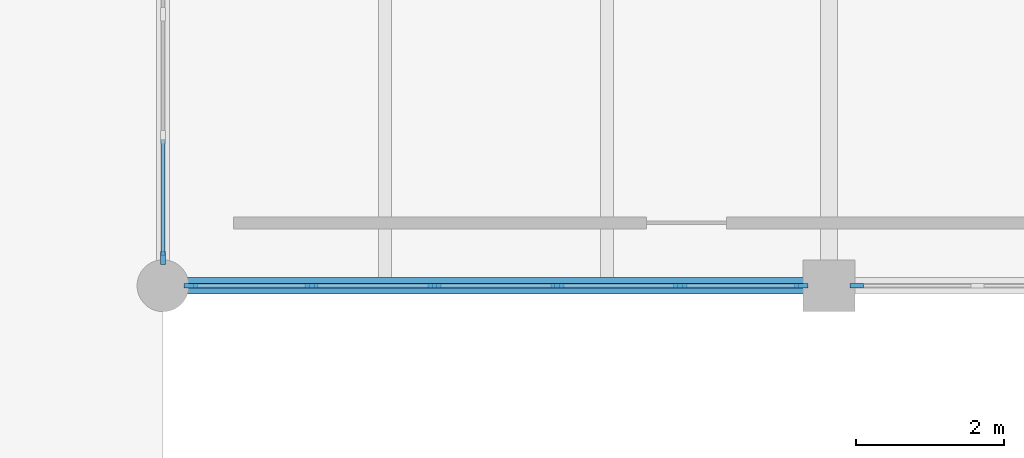
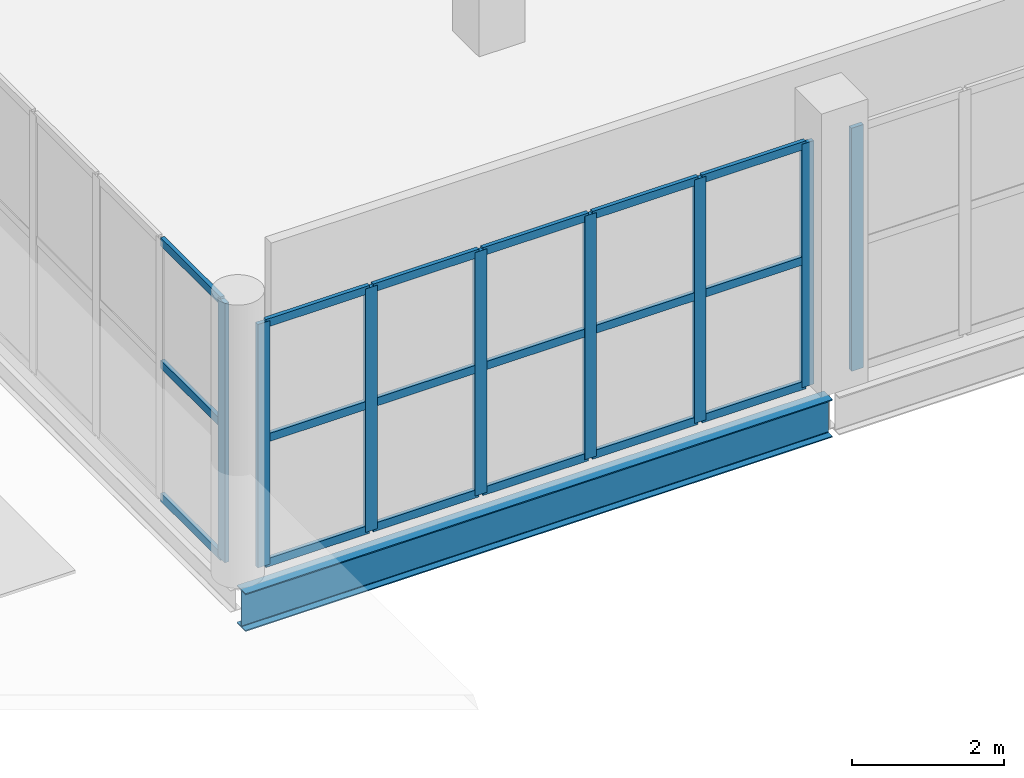
# One storey, part 41 of 93: 26 members, 1 beam, 3 elements without a shape of their own.
"""IFC4 building model written with IfcOpenShell, lengths in metres."""

from ifc_helpers import new_model, si_unit, direction, frame, origin, origin_2d, place, context, subcontext, project, spatial, rectangle, i_section, extrude, material, layer, layer_set, material_profile, profile_set, type_object, element, aggregate, save


model = new_model("IFC4")

# Units and contexts
model_context = context("Model", 3, precision=1e-05, world=origin(), true_north=direction((0.0, 1.0)))
body_context = subcontext(model_context, "Body", "Model", "MODEL_VIEW")
ifc_project = project(units=[si_unit("LENGTHUNIT", "METRE"), si_unit("AREAUNIT", "SQUARE_METRE"), si_unit("VOLUMEUNIT", "CUBIC_METRE"), si_unit("PLANEANGLEUNIT", "RADIAN"), si_unit("MASSUNIT", "GRAM", prefix="KILO")], contexts=[model_context])

# Site, building, storey
site_placement = place(None, origin())
site = spatial("IfcSite", under=ifc_project, at=site_placement, CompositionType="ELEMENT")
building_placement = place(site_placement, origin())
building = spatial("IfcBuilding", under=site, at=building_placement, Name="Marnock Terrace Opera House", CompositionType="ELEMENT")
storey_placement = place(building_placement, frame((0.0, 0.0, 5.39990234375)))
storey = spatial("IfcBuildingStorey", under=building, at=storey_placement, Name="L01", CompositionType="ELEMENT", Elevation=5.39990234375)

# Beam
ifc_material_1 = material(Name="Steel Grade 350 (AS/NZS 3679.1)", Category="steel")
ifc_material_profile_1 = material_profile(ifc_material_1, i_section(OverallWidth=0.22802734375, OverallDepth=0.60693359375, WebThickness=0.01123046875, FlangeThickness=0.017333984375, FilletRadius=0.013916015625, at=origin_2d()))
ifc_profile_set_1 = profile_set([ifc_material_profile_1], Name="Steel Grade 350 (AS/NZS 3679.1)")
beam_type = type_object("IfcBeamType", Name="BM-GIRD-610B", PredefinedType="BEAM", material=ifc_profile_set_1)
beam_placement = place(storey_placement, frame((118.050048828125, 66.0, -0.58349609375), z_axis=(1.0, 0.0, 0.0), x_axis=(0.0, 1.0, 0.0)))
element("IfcBeam", 1, at=beam_placement, inside=storey, type_object=beam_type, Name="L01 girder (118.0..127.0, Y=66.0)", PredefinedType="BEAM", context=body_context, shape_type="SweptSolid", body=[
    extrude(i_section(OverallWidth=0.22802734375, OverallDepth=0.60693359375, WebThickness=0.01123046875, FlangeThickness=0.017333984375, FilletRadius=0.013916015625, at=origin_2d()), origin(), (0.0, 0.0, 1.0), 8.89990234375),
])

# Curtain wall, members
ifc_material_2 = material(Name="Anodised architectural bronze aluminium framing", Category="aluminium")
ifc_layer = layer(ifc_material_2, 0.159912109375)
ifc_layer_set = layer_set([ifc_layer], Name="Anodised architectural bronze aluminium framing")
curtain_wall_type = type_object("IfcCurtainWallType", Name="CW-LOGGIA-86x45", PredefinedType="NOTDEFINED", material=ifc_layer_set)
curtain_wall_1_placement = place(storey_placement, origin())
curtain_wall_1 = element("IfcCurtainWall", 2, at=curtain_wall_1_placement, inside=storey, type_object=curtain_wall_type, Name="L01 glazed Beaux-Arts colonnade curtain wall CW-V5-L01-CN1", PredefinedType="NOTDEFINED")
ifc_material_profile_2 = material_profile(ifc_material_2, rectangle(XDim=0.06494140625, YDim=0.179931640625, at=origin_2d()))
ifc_profile_set_2 = profile_set([ifc_material_profile_2], Name="Anodised architectural bronze aluminium framing")
member_type_1 = type_object("IfcMemberType", Name="CWM-65x180", PredefinedType="MULLION", material=ifc_profile_set_2)
member_1_placement = place(storey_placement, frame((118.3759765625, 66.0, 0.0), z_axis=(0.0, 0.0, 1.0), x_axis=(0.0, 1.0, 0.0)))
member_1 = element("IfcMember", 3, at=member_1_placement, type_object=member_type_1, Name="CW-61 mullion 1", PredefinedType="MULLION", context=body_context, shape_type="SweptSolid", body=[
    extrude(rectangle(XDim=0.06494140625, YDim=0.179931640625, at=origin_2d()), origin(), (0.0, 0.0, 1.0), 3.903076171875),
])
member_2_placement = place(storey_placement, frame((120.007568359375, 66.0, 0.0), z_axis=(0.0, 0.0, 1.0), x_axis=(0.0, 1.0, 0.0)))
member_2 = element("IfcMember", 4, at=member_2_placement, type_object=member_type_1, Name="CW-61 mullion 2", PredefinedType="MULLION", context=body_context, shape_type="SweptSolid", body=[
    extrude(rectangle(XDim=0.06494140625, YDim=0.179931640625, at=origin_2d()), origin(), (0.0, 0.0, 1.0), 3.903076171875),
])
member_3_placement = place(storey_placement, frame((121.669189453125, 66.0, 0.0), z_axis=(0.0, 0.0, 1.0), x_axis=(0.0, 1.0, 0.0)))
member_3 = element("IfcMember", 5, at=member_3_placement, type_object=member_type_1, Name="CW-61 mullion 3", PredefinedType="MULLION", context=body_context, shape_type="SweptSolid", body=[
    extrude(rectangle(XDim=0.06494140625, YDim=0.179931640625, at=origin_2d()), origin(), (0.0, 0.0, 1.0), 3.903076171875),
])
member_4_placement = place(storey_placement, frame((123.330810546875, 66.0, 0.0), z_axis=(0.0, 0.0, 1.0), x_axis=(0.0, 1.0, 0.0)))
member_4 = element("IfcMember", 6, at=member_4_placement, type_object=member_type_1, Name="CW-61 mullion 4", PredefinedType="MULLION", context=body_context, shape_type="SweptSolid", body=[
    extrude(rectangle(XDim=0.06494140625, YDim=0.179931640625, at=origin_2d()), origin(), (0.0, 0.0, 1.0), 3.903076171875),
])
member_5_placement = place(storey_placement, frame((124.992431640625, 66.0, 0.0), z_axis=(0.0, 0.0, 1.0), x_axis=(0.0, 1.0, 0.0)))
member_5 = element("IfcMember", 7, at=member_5_placement, type_object=member_type_1, Name="CW-61 mullion 5", PredefinedType="MULLION", context=body_context, shape_type="SweptSolid", body=[
    extrude(rectangle(XDim=0.06494140625, YDim=0.179931640625, at=origin_2d()), origin(), (0.0, 0.0, 1.0), 3.903076171875),
])
member_6_placement = place(storey_placement, frame((126.6240234375, 66.0, 0.0), z_axis=(0.0, 0.0, 1.0), x_axis=(0.0, 1.0, 0.0)))
member_6 = element("IfcMember", 8, at=member_6_placement, type_object=member_type_1, Name="CW-61 mullion 6", PredefinedType="MULLION", context=body_context, shape_type="SweptSolid", body=[
    extrude(rectangle(XDim=0.06494140625, YDim=0.179931640625, at=origin_2d()), origin(), (0.0, 0.0, 1.0), 3.903076171875),
])

# Curtain wall, member
curtain_wall_2_placement = place(storey_placement, origin())
curtain_wall_2 = element("IfcCurtainWall", 9, at=curtain_wall_2_placement, inside=storey, type_object=curtain_wall_type, Name="L01 glazed Beaux-Arts colonnade curtain wall CW-V5-L01-CN2", PredefinedType="NOTDEFINED")
member_7_placement = place(storey_placement, frame((127.3759765625, 66.0, 0.0), z_axis=(0.0, 0.0, 1.0), x_axis=(0.0, 1.0, 0.0)))
member_7 = element("IfcMember", 10, at=member_7_placement, type_object=member_type_1, Name="CW-61 mullion 1", PredefinedType="MULLION", context=body_context, shape_type="SweptSolid", body=[
    extrude(rectangle(XDim=0.06494140625, YDim=0.179931640625, at=origin_2d()), origin(), (0.0, 0.0, 1.0), 3.8984375),
])
aggregate(curtain_wall_2, [member_7])

curtain_wall_3_placement = place(storey_placement, origin())
curtain_wall_3 = element("IfcCurtainWall", 11, at=curtain_wall_3_placement, inside=storey, type_object=curtain_wall_type, Name="L01 glazed Beaux-Arts colonnade curtain wall CW-V5-L01-W5", PredefinedType="NOTDEFINED")
member_8_placement = place(storey_placement, frame((118.0, 66.3759765625, 0.0), z_axis=(0.0, 0.0, 1.0), x_axis=(-1.0, 0.0, 0.0)))
member_8 = element("IfcMember", 12, at=member_8_placement, type_object=member_type_1, Name="CW-61 mullion 1", PredefinedType="MULLION", context=body_context, shape_type="SweptSolid", body=[
    extrude(rectangle(XDim=0.06494140625, YDim=0.179931640625, at=origin_2d()), origin(), (0.0, 0.0, 1.0), 4.154541015625),
])

# Member
ifc_material_profile_3 = material_profile(ifc_material_2, rectangle(XDim=0.06005859375, YDim=0.1298828125, at=origin_2d()))
ifc_profile_set_3 = profile_set([ifc_material_profile_3], Name="Anodised architectural bronze aluminium framing")
member_type_2 = type_object("IfcMemberType", Name="CWT-60x130", PredefinedType="USERDEFINED", material=ifc_profile_set_3)
member_9_placement = place(storey_placement, frame((118.406005859375, 66.0, 0.030029296875), z_axis=(1.0, 0.0, 0.0), x_axis=(0.0, 1.0, 0.0)))
member_9 = element("IfcMember", 13, at=member_9_placement, type_object=member_type_2, Name="CW-61 transom 1.1", ObjectType="TRANSOM", PredefinedType="USERDEFINED", context=body_context, shape_type="SweptSolid", body=[
    extrude(rectangle(XDim=0.06005859375, YDim=0.1298828125, at=origin_2d()), origin(), (0.0, 0.0, 1.0), 1.571533203125),
])

member_10_placement = place(storey_placement, frame((118.406005859375, 66.0, 2.02978515625), z_axis=(1.0, 0.0, 0.0), x_axis=(0.0, 1.0, 0.0)))
member_10 = element("IfcMember", 14, at=member_10_placement, type_object=member_type_2, Name="CW-61 transom 1.2", ObjectType="TRANSOM", PredefinedType="USERDEFINED", context=body_context, shape_type="SweptSolid", body=[
    extrude(rectangle(XDim=0.06005859375, YDim=0.1298828125, at=origin_2d()), origin(), (0.0, 0.0, 1.0), 1.571533203125),
])

member_11_placement = place(storey_placement, frame((118.406005859375, 66.0, 3.873046875), z_axis=(1.0, 0.0, 0.0), x_axis=(0.0, 1.0, 0.0)))
member_11 = element("IfcMember", 15, at=member_11_placement, type_object=member_type_2, Name="CW-61 transom 1.3", ObjectType="TRANSOM", PredefinedType="USERDEFINED", context=body_context, shape_type="SweptSolid", body=[
    extrude(rectangle(XDim=0.06005859375, YDim=0.1298828125, at=origin_2d()), origin(), (0.0, 0.0, 1.0), 1.571533203125),
])

member_12_placement = place(storey_placement, frame((120.03759765625, 66.0, 0.030029296875), z_axis=(1.0, 0.0, 0.0), x_axis=(0.0, 1.0, 0.0)))
member_12 = element("IfcMember", 16, at=member_12_placement, type_object=member_type_2, Name="CW-61 transom 2.1", ObjectType="TRANSOM", PredefinedType="USERDEFINED", context=body_context, shape_type="SweptSolid", body=[
    extrude(rectangle(XDim=0.06005859375, YDim=0.1298828125, at=origin_2d()), origin(), (0.0, 0.0, 1.0), 1.6015625),
])

member_13_placement = place(storey_placement, frame((120.03759765625, 66.0, 2.02978515625), z_axis=(1.0, 0.0, 0.0), x_axis=(0.0, 1.0, 0.0)))
member_13 = element("IfcMember", 17, at=member_13_placement, type_object=member_type_2, Name="CW-61 transom 2.2", ObjectType="TRANSOM", PredefinedType="USERDEFINED", context=body_context, shape_type="SweptSolid", body=[
    extrude(rectangle(XDim=0.06005859375, YDim=0.1298828125, at=origin_2d()), origin(), (0.0, 0.0, 1.0), 1.6015625),
])

member_14_placement = place(storey_placement, frame((120.03759765625, 66.0, 3.873046875), z_axis=(1.0, 0.0, 0.0), x_axis=(0.0, 1.0, 0.0)))
member_14 = element("IfcMember", 18, at=member_14_placement, type_object=member_type_2, Name="CW-61 transom 2.3", ObjectType="TRANSOM", PredefinedType="USERDEFINED", context=body_context, shape_type="SweptSolid", body=[
    extrude(rectangle(XDim=0.06005859375, YDim=0.1298828125, at=origin_2d()), origin(), (0.0, 0.0, 1.0), 1.6015625),
])

member_15_placement = place(storey_placement, frame((121.69921875, 66.0, 0.030029296875), z_axis=(1.0, 0.0, 0.0), x_axis=(0.0, 1.0, 0.0)))
member_15 = element("IfcMember", 19, at=member_15_placement, type_object=member_type_2, Name="CW-61 transom 3.1", ObjectType="TRANSOM", PredefinedType="USERDEFINED", context=body_context, shape_type="SweptSolid", body=[
    extrude(rectangle(XDim=0.06005859375, YDim=0.1298828125, at=origin_2d()), origin(), (0.0, 0.0, 1.0), 1.6015625),
])

member_16_placement = place(storey_placement, frame((121.69921875, 66.0, 2.02978515625), z_axis=(1.0, 0.0, 0.0), x_axis=(0.0, 1.0, 0.0)))
member_16 = element("IfcMember", 20, at=member_16_placement, type_object=member_type_2, Name="CW-61 transom 3.2", ObjectType="TRANSOM", PredefinedType="USERDEFINED", context=body_context, shape_type="SweptSolid", body=[
    extrude(rectangle(XDim=0.06005859375, YDim=0.1298828125, at=origin_2d()), origin(), (0.0, 0.0, 1.0), 1.6015625),
])

member_17_placement = place(storey_placement, frame((121.69921875, 66.0, 3.873046875), z_axis=(1.0, 0.0, 0.0), x_axis=(0.0, 1.0, 0.0)))
member_17 = element("IfcMember", 21, at=member_17_placement, type_object=member_type_2, Name="CW-61 transom 3.3", ObjectType="TRANSOM", PredefinedType="USERDEFINED", context=body_context, shape_type="SweptSolid", body=[
    extrude(rectangle(XDim=0.06005859375, YDim=0.1298828125, at=origin_2d()), origin(), (0.0, 0.0, 1.0), 1.6015625),
])

member_18_placement = place(storey_placement, frame((123.36083984375, 66.0, 0.030029296875), z_axis=(1.0, 0.0, 0.0), x_axis=(0.0, 1.0, 0.0)))
member_18 = element("IfcMember", 22, at=member_18_placement, type_object=member_type_2, Name="CW-61 transom 4.1", ObjectType="TRANSOM", PredefinedType="USERDEFINED", context=body_context, shape_type="SweptSolid", body=[
    extrude(rectangle(XDim=0.06005859375, YDim=0.1298828125, at=origin_2d()), origin(), (0.0, 0.0, 1.0), 1.6015625),
])

member_19_placement = place(storey_placement, frame((123.36083984375, 66.0, 2.02978515625), z_axis=(1.0, 0.0, 0.0), x_axis=(0.0, 1.0, 0.0)))
member_19 = element("IfcMember", 23, at=member_19_placement, type_object=member_type_2, Name="CW-61 transom 4.2", ObjectType="TRANSOM", PredefinedType="USERDEFINED", context=body_context, shape_type="SweptSolid", body=[
    extrude(rectangle(XDim=0.06005859375, YDim=0.1298828125, at=origin_2d()), origin(), (0.0, 0.0, 1.0), 1.6015625),
])

member_20_placement = place(storey_placement, frame((123.36083984375, 66.0, 3.873046875), z_axis=(1.0, 0.0, 0.0), x_axis=(0.0, 1.0, 0.0)))
member_20 = element("IfcMember", 24, at=member_20_placement, type_object=member_type_2, Name="CW-61 transom 4.3", ObjectType="TRANSOM", PredefinedType="USERDEFINED", context=body_context, shape_type="SweptSolid", body=[
    extrude(rectangle(XDim=0.06005859375, YDim=0.1298828125, at=origin_2d()), origin(), (0.0, 0.0, 1.0), 1.6015625),
])

member_21_placement = place(storey_placement, frame((125.0224609375, 66.0, 0.030029296875), z_axis=(1.0, 0.0, 0.0), x_axis=(0.0, 1.0, 0.0)))
member_21 = element("IfcMember", 25, at=member_21_placement, type_object=member_type_2, Name="CW-61 transom 5.1", ObjectType="TRANSOM", PredefinedType="USERDEFINED", context=body_context, shape_type="SweptSolid", body=[
    extrude(rectangle(XDim=0.06005859375, YDim=0.1298828125, at=origin_2d()), origin(), (0.0, 0.0, 1.0), 1.571533203125),
])

member_22_placement = place(storey_placement, frame((125.0224609375, 66.0, 2.02978515625), z_axis=(1.0, 0.0, 0.0), x_axis=(0.0, 1.0, 0.0)))
member_22 = element("IfcMember", 26, at=member_22_placement, type_object=member_type_2, Name="CW-61 transom 5.2", ObjectType="TRANSOM", PredefinedType="USERDEFINED", context=body_context, shape_type="SweptSolid", body=[
    extrude(rectangle(XDim=0.06005859375, YDim=0.1298828125, at=origin_2d()), origin(), (0.0, 0.0, 1.0), 1.571533203125),
])

member_23_placement = place(storey_placement, frame((125.0224609375, 66.0, 3.873046875), z_axis=(1.0, 0.0, 0.0), x_axis=(0.0, 1.0, 0.0)))
member_23 = element("IfcMember", 27, at=member_23_placement, type_object=member_type_2, Name="CW-61 transom 5.3", ObjectType="TRANSOM", PredefinedType="USERDEFINED", context=body_context, shape_type="SweptSolid", body=[
    extrude(rectangle(XDim=0.06005859375, YDim=0.1298828125, at=origin_2d()), origin(), (0.0, 0.0, 1.0), 1.571533203125),
])

aggregate(curtain_wall_1, [member_1, member_2, member_3, member_4, member_5, member_6, member_9, member_10, member_11, member_12, member_13, member_14, member_15, member_16, member_17, member_18, member_19, member_20, member_21, member_22, member_23])

member_24_placement = place(storey_placement, frame((118.0, 66.406005859375, 0.030029296875), z_axis=(0.0, 1.0, 0.0), x_axis=(-1.0, 0.0, 0.0)))
member_24 = element("IfcMember", 28, at=member_24_placement, type_object=member_type_2, Name="CW-61 transom 1.1", ObjectType="TRANSOM", PredefinedType="USERDEFINED", context=body_context, shape_type="SweptSolid", body=[
    extrude(rectangle(XDim=0.06005859375, YDim=0.1298828125, at=origin_2d()), origin(), (0.0, 0.0, 1.0), 1.571533203125),
])

member_25_placement = place(storey_placement, frame((118.0, 66.406005859375, 2.160400390625), z_axis=(0.0, 1.0, 0.0), x_axis=(-1.0, 0.0, 0.0)))
member_25 = element("IfcMember", 29, at=member_25_placement, type_object=member_type_2, Name="CW-61 transom 1.2", ObjectType="TRANSOM", PredefinedType="USERDEFINED", context=body_context, shape_type="SweptSolid", body=[
    extrude(rectangle(XDim=0.06005859375, YDim=0.1298828125, at=origin_2d()), origin(), (0.0, 0.0, 1.0), 1.571533203125),
])

member_26_placement = place(storey_placement, frame((118.0, 66.406005859375, 4.12451171875), z_axis=(0.0, 1.0, 0.0), x_axis=(-1.0, 0.0, 0.0)))
member_26 = element("IfcMember", 30, at=member_26_placement, type_object=member_type_2, Name="CW-61 transom 1.3", ObjectType="TRANSOM", PredefinedType="USERDEFINED", context=body_context, shape_type="SweptSolid", body=[
    extrude(rectangle(XDim=0.06005859375, YDim=0.1298828125, at=origin_2d()), origin(), (0.0, 0.0, 1.0), 1.571533203125),
])

aggregate(curtain_wall_3, [member_8, member_24, member_25, member_26])

save(model, "model.ifc")
